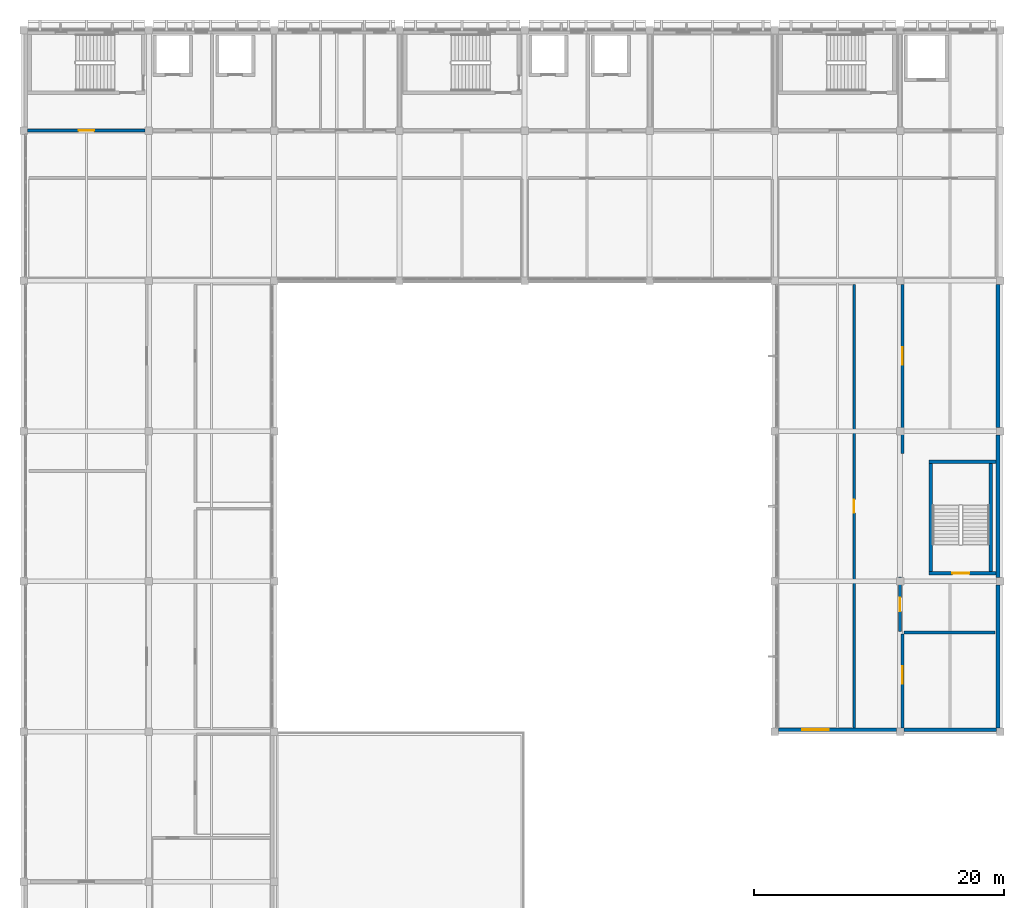
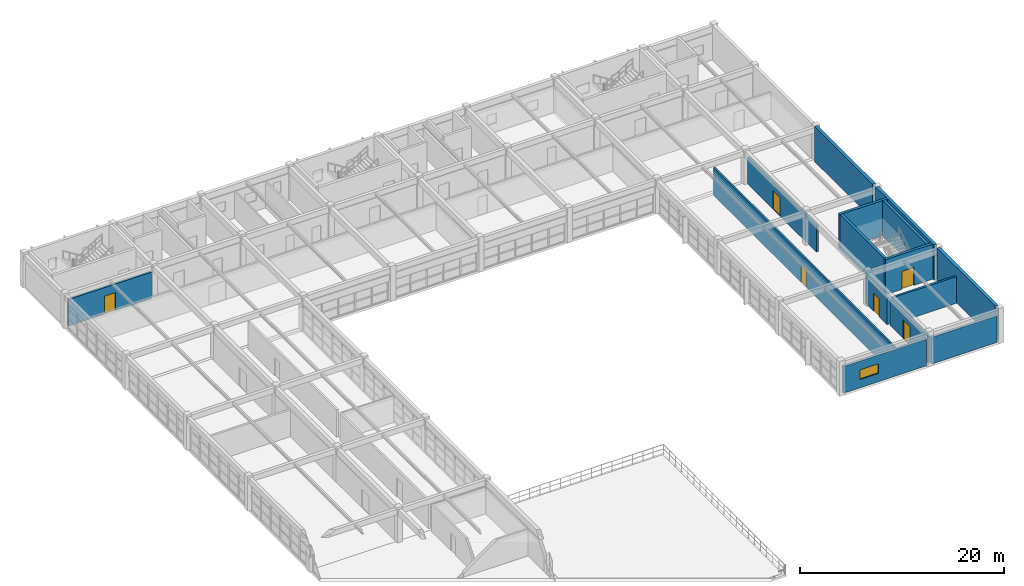
# One storey, part 20 of 28: 15 walls, 6 doors, 1 window, 7 openings.
"""IFC4 building model written with IfcOpenShell, lengths in metres."""

from ifc_helpers import new_model, si_unit, direction, frame, frame_2d, origin, place, context, subcontext, project, spatial, rectangle, extrude, material, layer, layer_set, type_object, element, fill, save


model = new_model("IFC4")

# Units and contexts
model_context = context("Model", 3, precision=1e-05, world=origin(), true_north=direction((0.0, 1.0)))
body_context = subcontext(model_context, "Body", "Model", "MODEL_VIEW")
ifc_project = project(units=[si_unit("LENGTHUNIT", "METRE"), si_unit("AREAUNIT", "SQUARE_METRE"), si_unit("VOLUMEUNIT", "CUBIC_METRE"), si_unit("PLANEANGLEUNIT", "RADIAN"), si_unit("MASSUNIT", "GRAM", prefix="KILO")], contexts=[model_context])

# Site, building, storey
site_placement = place(None, origin())
site = spatial("IfcSite", under=ifc_project, at=site_placement, CompositionType="ELEMENT")
building_placement = place(site_placement, origin())
building = spatial("IfcBuilding", under=site, at=building_placement, Name="Kivolera Central Railway Station", CompositionType="ELEMENT")
storey_placement = place(building_placement, frame((0.0, 0.0, 18.60009765625)))
storey = spatial("IfcBuildingStorey", under=building, at=storey_placement, Name="L04", CompositionType="ELEMENT", Elevation=18.60009765625)

# Wall, opening, door
ifc_material_1 = material(Name="Concrete C40/50", Category="concrete")
ifc_layer_1 = layer(ifc_material_1, 0.22998046875, Name="Concrete C40/50")
ifc_layer_set_1 = layer_set([ifc_layer_1], Name="Concrete C40/50")
wall_type_1 = type_object("IfcWallType", Name="WL-COMP-230", PredefinedType="PARTITIONING", material=ifc_layer_set_1)
wall_1_placement = place(storey_placement, frame((188.179931640625, 100.199951171875, 0.0), z_axis=(0.0, 0.0, 1.0), x_axis=(0.0, 1.0, 0.0)))
wall_1 = element("IfcWall", 1, at=wall_1_placement, inside=storey, type_object=wall_type_1, Name="L04 Signalling Dual-UPS Battery Plant Room Corridor Wall", PredefinedType="PARTITIONING", context=body_context, shape_type="SweptSolid", body=[
    extrude(rectangle(XDim=13.5, YDim=0.22998046875, at=frame_2d((6.75, 0.0))), origin(), (0.0, 0.0, 1.0), 3.18798828125),
])
opening_1_placement = place(wall_1_placement, frame((7.10009765625, 0.0, 0.0)))
opening_1 = element("IfcOpeningElement", 2, at=opening_1_placement, cuts=wall_1, Name="Opening D-PLT-1400", PredefinedType="OPENING", context=body_context, shape_type="SweptSolid", body=[
    extrude(rectangle(XDim=1.39990234375, YDim=2.199951171875, at=frame_2d((0.699951171875, 1.10009765625))), frame((0.0, 0.125, 0.0), z_axis=(0.0, -1.0, 0.0), x_axis=(1.0, 0.0, 0.0)), (0.0, 0.0, 1.0), 0.25),
])
ifc_material_2 = material(Name="Anodised aluminium", Category="aluminium")
door_type_1 = type_object("IfcDoorType", Name="DR-D-PLT-1400", OperationType="NOTDEFINED", PredefinedType="DOOR", material=ifc_material_2)
door_1_placement = place(opening_1_placement, origin())
door_1 = element("IfcDoor", 3, at=door_1_placement, inside=storey, type_object=door_type_1, Name="L04 Signalling Dual-UPS Battery Plant Room Door", OperationType="SINGLE_SWING_RIGHT", OverallHeight=2.199951171875, OverallWidth=1.39990234375, PredefinedType="DOOR", context=body_context, shape_type="SweptSolid", body=[
    extrude(rectangle(XDim=1.39990234375, YDim=2.199951171875, at=frame_2d((0.699951171875, 1.10009765625))), frame((0.0, 0.02490234375, 0.0), z_axis=(0.0, -1.0, 0.0), x_axis=(1.0, 0.0, 0.0)), (0.0, 0.0, 1.0), 0.050048828125),
])
fill(opening_1, door_1)

wall_2_placement = place(storey_placement, frame((188.179931640625, 78.300048828125, 0.0), z_axis=(0.0, 0.0, 1.0), x_axis=(0.0, 1.0, 0.0)))
wall_2 = element("IfcWall", 4, at=wall_2_placement, inside=storey, type_object=wall_type_1, Name="L04 Precision Cooling CRAC Plant Room Corridor Wall", PredefinedType="PARTITIONING", context=body_context, shape_type="SweptSolid", body=[
    extrude(rectangle(XDim=7.5, YDim=0.22998046875, at=frame_2d((3.75, 0.0))), origin(), (0.0, 0.0, 1.0), 3.18798828125),
])
opening_2_placement = place(wall_2_placement, frame((3.5, 0.0, 0.0)))
opening_2 = element("IfcOpeningElement", 5, at=opening_2_placement, cuts=wall_2, Name="Opening D-PLT-1400", PredefinedType="OPENING", context=body_context, shape_type="SweptSolid", body=[
    extrude(rectangle(XDim=1.39990234375, YDim=2.199951171875, at=frame_2d((0.699951171875, 1.10009765625))), frame((0.0, 0.125, 0.0), z_axis=(0.0, -1.0, 0.0), x_axis=(1.0, 0.0, 0.0)), (0.0, 0.0, 1.0), 0.25),
])
door_2_placement = place(opening_2_placement, origin())
door_2 = element("IfcDoor", 6, at=door_2_placement, inside=storey, type_object=door_type_1, Name="L04 Precision Cooling CRAC Plant Room Door", OperationType="SINGLE_SWING_LEFT", OverallHeight=2.199951171875, OverallWidth=1.39990234375, PredefinedType="DOOR", context=body_context, shape_type="SweptSolid", body=[
    extrude(rectangle(XDim=1.39990234375, YDim=2.199951171875, at=frame_2d((0.699951171875, 1.10009765625))), frame((0.0, 0.02490234375, 0.0), z_axis=(0.0, -1.0, 0.0), x_axis=(1.0, 0.0, 0.0)), (0.0, 0.0, 1.0), 0.050048828125),
])
fill(opening_2, door_2)

# Wall
wall_3_placement = place(storey_placement, frame((188.300048828125, 85.89990234375, 0.0), z_axis=(0.0, 0.0, 1.0), x_axis=(1.0, 0.0, 0.0)))
element("IfcWall", 7, at=wall_3_placement, inside=storey, type_object=wall_type_1, Name="L04 Precision Cooling CRAC Plant Room Partition Wall", PredefinedType="PARTITIONING", context=body_context, shape_type="SweptSolid", body=[
    extrude(rectangle(XDim=7.300048828125, YDim=0.22998046875, at=frame_2d((3.64990234375, 0.0))), origin(), (0.0, 0.0, 1.0), 3.18798828125),
])

# Wall, opening, door
ifc_material_3 = material(Name="Swahili coral limestone", Category="masonry")
ifc_layer_2 = layer(ifc_material_3, 0.199951171875, Name="Swahili coral limestone")
ifc_layer_set_2 = layer_set([ifc_layer_2], Name="Swahili coral limestone")
wall_type_2 = type_object("IfcWallType", Name="WL-COR-200", PredefinedType="PARTITIONING", material=ifc_layer_set_2)
wall_4_placement = place(storey_placement, frame((184.320068359375, 78.300048828125, 0.0), z_axis=(0.0, 0.0, 1.0), x_axis=(0.0, 1.0, 0.0)))
wall_4 = element("IfcWall", 8, at=wall_4_placement, inside=storey, type_object=wall_type_2, Name="L04 Rail Diagnostics Analytics Studio Corridor Wall", PredefinedType="PARTITIONING", context=body_context, shape_type="SweptSolid", body=[
    extrude(rectangle(XDim=35.39990234375, YDim=0.199951171875, at=frame_2d((17.699951171875, 0.0))), origin(), (0.0, 0.0, 1.0), 3.287841796875),
])
opening_3_placement = place(wall_4_placement, frame((17.175048828125, 0.0, 0.0)))
opening_3 = element("IfcOpeningElement", 9, at=opening_3_placement, cuts=wall_4, Name="Opening D-SG-04", PredefinedType="OPENING", context=body_context, shape_type="SweptSolid", body=[
    extrude(rectangle(XDim=1.050048828125, YDim=2.10009765625, at=frame_2d((0.52490234375, 1.050048828125))), frame((0.0, 0.10986328125, 0.0), z_axis=(0.0, -1.0, 0.0), x_axis=(1.0, 0.0, 0.0)), (0.0, 0.0, 1.0), 0.219970703125),
])
ifc_material_4 = material(Name="Hardwood mvule timber", Category="wood")
door_type_2 = type_object("IfcDoorType", Name="DR-D-SG-04", OperationType="NOTDEFINED", PredefinedType="DOOR", material=ifc_material_4)
door_3_placement = place(opening_3_placement, origin())
door_3 = element("IfcDoor", 10, at=door_3_placement, inside=storey, type_object=door_type_2, Name="L04 Rail Diagnostics Analytics Studio Door", OperationType="SINGLE_SWING_LEFT", OverallHeight=2.10009765625, OverallWidth=1.050048828125, PredefinedType="DOOR", context=body_context, shape_type="SweptSolid", body=[
    extrude(rectangle(XDim=1.050048828125, YDim=2.10009765625, at=frame_2d((0.52490234375, 1.050048828125))), frame((0.0, 0.02490234375, 0.0), z_axis=(0.0, -1.0, 0.0), x_axis=(1.0, 0.0, 0.0)), (0.0, 0.0, 1.0), 0.050048828125),
])
fill(opening_3, door_3)

# Walls
ifc_layer_3 = layer(ifc_material_1, 0.300048828125, Name="Concrete C40/50")
ifc_layer_set_3 = layer_set([ifc_layer_3], Name="Concrete C40/50")
wall_type_3 = type_object("IfcWallType", Name="WL-CORE-300", PredefinedType="SHEAR", material=ifc_layer_set_3)
for number, where, z_axis, x_axis, name in (
    (11, (190.449951171875, 90.800048828125, 0.0), (0.0, 0.0, 1.0), (0.0, 1.0, 0.0), "L04 ST11 Core Right Shear Wall"),
    (12, (195.25, 99.39990234375, 0.0), (0.0, 0.0, 1.0), (0.0, -1.0, 0.0), "L04 ST11 Core Left Shear Wall"),
):
    element("IfcWall", number, at=place(storey_placement, frame(where, z_axis=z_axis, x_axis=x_axis)), inside=storey, type_object=wall_type_3, Name=name, PredefinedType="SHEAR", context=body_context, shape_type="SweptSolid", body=[
        extrude(rectangle(XDim=8.599853515625, YDim=0.300048828125, at=frame_2d((4.2998046875, 0.0))), origin(), (0.0, 0.0, 1.0), 4.199951171875),
    ])

# Wall, opening, door
wall_5_placement = place(storey_placement, frame((195.64990234375, 90.64990234375, 0.0), z_axis=(0.0, 0.0, 1.0), x_axis=(-1.0, 0.0, 0.0)))
wall_5 = element("IfcWall", 13, at=wall_5_placement, inside=storey, type_object=wall_type_3, Name="L04 ST11 Core Near Shear Wall", PredefinedType="SHEAR", context=body_context, shape_type="SweptSolid", body=[
    extrude(rectangle(XDim=5.349853515625, YDim=0.300048828125, at=frame_2d((2.6748046875, 0.0))), origin(), (0.0, 0.0, 1.0), 4.199951171875),
])
opening_4_placement = place(wall_5_placement, frame((2.125, 0.0, 0.0)))
opening_4 = element("IfcOpeningElement", 14, at=opening_4_placement, cuts=wall_5, Name="Opening D-STAIR-1350", PredefinedType="OPENING", context=body_context, shape_type="SweptSolid", body=[
    extrude(rectangle(XDim=1.35009765625, YDim=2.14990234375, at=frame_2d((0.675048828125, 1.074951171875))), frame((0.0, 0.159912109375, 0.0), z_axis=(0.0, -1.0, 0.0), x_axis=(1.0, 0.0, 0.0)), (0.0, 0.0, 1.0), 0.320068359375),
])
door_type_3 = type_object("IfcDoorType", Name="DR-D-STAIR-1350", OperationType="NOTDEFINED", PredefinedType="DOOR", material=ifc_material_4)
door_4_placement = place(opening_4_placement, origin())
door_4 = element("IfcDoor", 15, at=door_4_placement, inside=storey, type_object=door_type_3, Name="L04 ST11 Concourse/Platform Stair Fire Door", OperationType="SINGLE_SWING_LEFT", OverallHeight=2.14990234375, OverallWidth=1.35009765625, PredefinedType="DOOR", context=body_context, shape_type="SweptSolid", body=[
    extrude(rectangle(XDim=1.35009765625, YDim=2.14990234375, at=frame_2d((0.675048828125, 1.074951171875))), frame((0.0, 0.02490234375, 0.0), z_axis=(0.0, -1.0, 0.0), x_axis=(1.0, 0.0, 0.0)), (0.0, 0.0, 1.0), 0.050048828125),
])
fill(opening_4, door_4)

# Wall
wall_6_placement = place(storey_placement, frame((190.300048828125, 99.550048828125, 0.0), z_axis=(0.0, 0.0, 1.0), x_axis=(1.0, 0.0, 0.0)))
element("IfcWall", 16, at=wall_6_placement, inside=storey, type_object=wall_type_3, Name="L04 ST11 Core Far Shear Wall", PredefinedType="SHEAR", context=body_context, shape_type="SweptSolid", body=[
    extrude(rectangle(XDim=5.349853515625, YDim=0.300048828125, at=frame_2d((2.6748046875, 0.0))), origin(), (0.0, 0.0, 1.0), 4.199951171875),
])

# Wall, opening, window
ifc_layer_4 = layer(ifc_material_3, 0.2900390625, Name="Swahili coral limestone")
ifc_layer_set_4 = layer_set([ifc_layer_4], Name="Swahili coral limestone")
wall_type_4 = type_object("IfcWallType", Name="WL-EXT-CORAL-290", PredefinedType="SOLIDWALL", material=ifc_layer_set_4)
wall_7_placement = place(storey_placement, frame((187.705078125, 78.14501953125, 0.0), z_axis=(0.0, 0.0, 1.0), x_axis=(-1.0, 0.0, 0.0)))
wall_7 = element("IfcWall", 17, at=wall_7_placement, inside=storey, type_object=wall_type_4, Name="L04 East Wing South Wall 178", PredefinedType="SOLIDWALL", context=body_context, shape_type="SweptSolid", body=[
    extrude(rectangle(XDim=9.41015625, YDim=0.2900390625, at=frame_2d((4.705078125, 0.0))), origin(), (0.0, 0.0, 1.0), 3.18798828125),
])
opening_5_placement = place(wall_7_placement, frame((5.405029296875, 0.0, 1.0)))
opening_5 = element("IfcOpeningElement", 18, at=opening_5_placement, cuts=wall_7, Name="Opening WN-07", PredefinedType="OPENING", context=body_context, shape_type="SweptSolid", body=[
    extrude(rectangle(XDim=2.10009765625, YDim=1.14990234375, at=frame_2d((1.050048828125, 0.574951171875))), frame((0.0, 0.155029296875, 0.0), z_axis=(0.0, -1.0, 0.0), x_axis=(1.0, 0.0, 0.0)), (0.0, 0.0, 1.0), 0.31005859375),
])
ifc_material_5 = material(Name="Double low-E laminated glass", Category="glass")
window_type = type_object("IfcWindowType", Name="WIN-WN-07", PartitioningType="SINGLE_PANEL", PredefinedType="WINDOW", material=ifc_material_5)
window_placement = place(opening_5_placement, origin())
window = element("IfcWindow", 19, at=window_placement, inside=storey, type_object=window_type, Name="L04 East Wing South Window", OverallHeight=1.14990234375, OverallWidth=2.10009765625, PartitioningType="SINGLE_PANEL", PredefinedType="WINDOW", context=body_context, shape_type="SweptSolid", body=[
    extrude(rectangle(XDim=2.10009765625, YDim=1.14990234375, at=frame_2d((1.050048828125, 0.574951171875))), frame((0.0, 0.030029296875, 0.0), z_axis=(0.0, -1.0, 0.0), x_axis=(1.0, 0.0, 0.0)), (0.0, 0.0, 1.0), 0.06005859375),
])
fill(opening_5, window)

# Wall
wall_8_placement = place(storey_placement, frame((195.705078125, 78.14501953125, 0.0), z_axis=(0.0, 0.0, 1.0), x_axis=(-1.0, 0.0, 0.0)))
element("IfcWall", 20, at=wall_8_placement, inside=storey, type_object=wall_type_4, Name="L04 East Wing South Wall 188", PredefinedType="SOLIDWALL", context=body_context, shape_type="SweptSolid", body=[
    extrude(rectangle(XDim=7.41015625, YDim=0.2900390625, at=frame_2d((3.705078125, 0.0))), origin(), (0.0, 0.0, 1.0), 3.18798828125),
])

# Wall, opening, door
ifc_layer_5 = layer(ifc_material_1, 0.25, Name="Concrete C40/50")
ifc_layer_set_5 = layer_set([ifc_layer_5], Name="Concrete C40/50")
wall_type_5 = type_object("IfcWallType", Name="WL-FFL-250", PredefinedType="PARTITIONING", material=ifc_layer_set_5)
wall_9_placement = place(storey_placement, frame((118.304931640625, 126.0, 0.0), z_axis=(0.0, 0.0, 1.0), x_axis=(1.0, 0.0, 0.0)))
wall_9 = element("IfcWall", 21, at=wall_9_placement, inside=storey, type_object=wall_type_5, Name="L04 North Core Corridor Wall 118", PredefinedType="PARTITIONING", context=body_context, shape_type="SweptSolid", body=[
    extrude(rectangle(XDim=9.39013671875, YDim=0.25, at=frame_2d((4.695068359375, 0.0))), origin(), (0.0, 0.0, 1.0), 3.18798828125),
])
opening_6_placement = place(wall_9_placement, frame((4.070068359375, 0.0, 0.0)))
opening_6 = element("IfcOpeningElement", 22, at=opening_6_placement, cuts=wall_9, Name="Opening D-FFL-1250", PredefinedType="OPENING", context=body_context, shape_type="SweptSolid", body=[
    extrude(rectangle(XDim=1.25, YDim=2.14990234375, at=frame_2d((0.625, 1.074951171875))), frame((0.0, 0.135009765625, 0.0), z_axis=(0.0, -1.0, 0.0), x_axis=(1.0, 0.0, 0.0)), (0.0, 0.0, 1.0), 0.27001953125),
])
door_type_4 = type_object("IfcDoorType", Name="DR-D-FFL-1250", OperationType="NOTDEFINED", PredefinedType="DOOR", material=ifc_material_4)
door_5_placement = place(opening_6_placement, origin())
door_5 = element("IfcDoor", 23, at=door_5_placement, inside=storey, type_object=door_type_4, Name="L04 ST1 Vestibule Corridor Door", OperationType="SINGLE_SWING_LEFT", OverallHeight=2.14990234375, OverallWidth=1.25, PredefinedType="DOOR", context=body_context, shape_type="SweptSolid", body=[
    extrude(rectangle(XDim=1.25, YDim=2.14990234375, at=frame_2d((0.625, 1.074951171875))), frame((0.0, 0.02490234375, 0.0), z_axis=(0.0, -1.0, 0.0), x_axis=(1.0, 0.0, 0.0)), (0.0, 0.0, 1.0), 0.050048828125),
])
fill(opening_6, door_5)

wall_10_placement = place(storey_placement, frame((188.0, 86.0, 0.0), z_axis=(0.0, 0.0, 1.0), x_axis=(0.0, 1.0, 0.0)))
wall_10 = element("IfcWall", 24, at=wall_10_placement, inside=storey, type_object=wall_type_5, Name="L04 ST11 Lobby Wall", PredefinedType="PARTITIONING", context=body_context, shape_type="SweptSolid", body=[
    extrude(rectangle(XDim=4.35009765625, YDim=0.25, at=frame_2d((2.175048828125, 0.0))), origin(), (0.0, 0.0, 1.0), 3.18798828125),
])
opening_7_placement = place(wall_10_placement, frame((1.60009765625, 0.0, 0.0)))
opening_7 = element("IfcOpeningElement", 25, at=opening_7_placement, cuts=wall_10, Name="Opening D-FFL-1100", PredefinedType="OPENING", context=body_context, shape_type="SweptSolid", body=[
    extrude(rectangle(XDim=1.10009765625, YDim=2.14990234375, at=frame_2d((0.550048828125, 1.074951171875))), frame((0.0, 0.135009765625, 0.0), z_axis=(0.0, -1.0, 0.0), x_axis=(1.0, 0.0, 0.0)), (0.0, 0.0, 1.0), 0.27001953125),
])
door_type_5 = type_object("IfcDoorType", Name="DR-D-FFL-1100", OperationType="NOTDEFINED", PredefinedType="DOOR", material=ifc_material_4)
door_6_placement = place(opening_7_placement, origin())
door_6 = element("IfcDoor", 26, at=door_6_placement, inside=storey, type_object=door_type_5, Name="L04 ST11 Lobby Corridor Door", OperationType="SINGLE_SWING_LEFT", OverallHeight=2.14990234375, OverallWidth=1.10009765625, PredefinedType="DOOR", context=body_context, shape_type="SweptSolid", body=[
    extrude(rectangle(XDim=1.10009765625, YDim=2.14990234375, at=frame_2d((0.550048828125, 1.074951171875))), frame((0.0, 0.02490234375, 0.0), z_axis=(0.0, -1.0, 0.0), x_axis=(1.0, 0.0, 0.0)), (0.0, 0.0, 1.0), 0.050048828125),
])
fill(opening_7, door_6)

# Walls
ifc_layer_6 = layer(ifc_material_1, 0.35009765625, Name="Concrete C40/50")
ifc_layer_set_6 = layer_set([ifc_layer_6], Name="Concrete C40/50")
wall_type_6 = type_object("IfcWallType", Name="WL-PARTY-350", PredefinedType="SOLIDWALL", material=ifc_layer_set_6)
for number, where, z_axis, x_axis, name in (
    (27, (195.824951171875, 89.705078125, 0.0), (0.0, 0.0, 1.0), (0.0, -1.0, 0.0), "L04 East Infill EI 120 Party Wall 78-90"),
    (28, (195.824951171875, 101.705078125, 0.0), (0.0, 0.0, 1.0), (0.0, -1.0, 0.0), "L04 East Infill EI 120 Party Wall 90-102"),
    (29, (195.824951171875, 113.705078125, 0.0), (0.0, 0.0, 1.0), (0.0, -1.0, 0.0), "L04 East Infill EI 120 Party Wall 102-114"),
):
    element("IfcWall", number, at=place(storey_placement, frame(where, z_axis=z_axis, x_axis=x_axis)), inside=storey, type_object=wall_type_6, Name=name, PredefinedType="SOLIDWALL", context=body_context, shape_type="SweptSolid", body=[
        extrude(rectangle(XDim=11.41015625, YDim=0.35009765625, at=frame_2d((5.705078125, 0.0))), origin(), (0.0, 0.0, 1.0), 4.199951171875),
    ])

save(model, "model.ifc")
